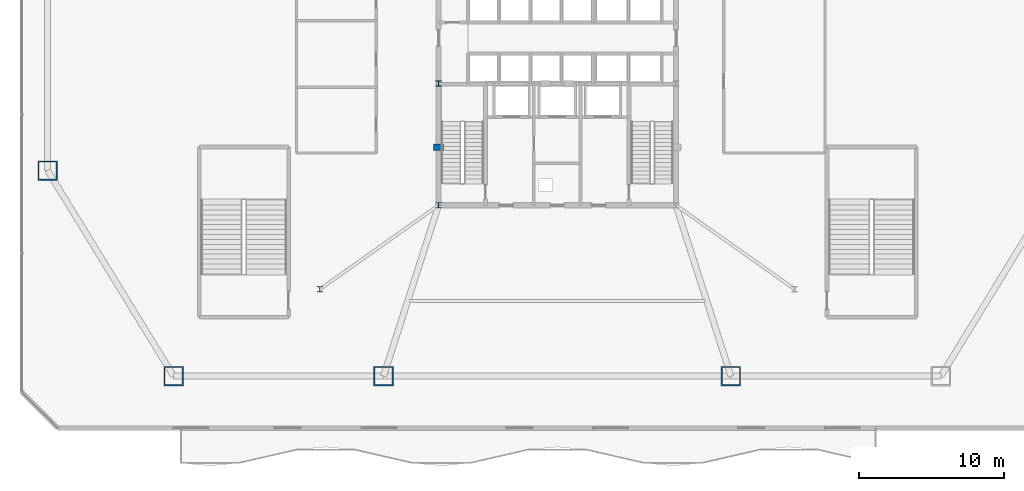
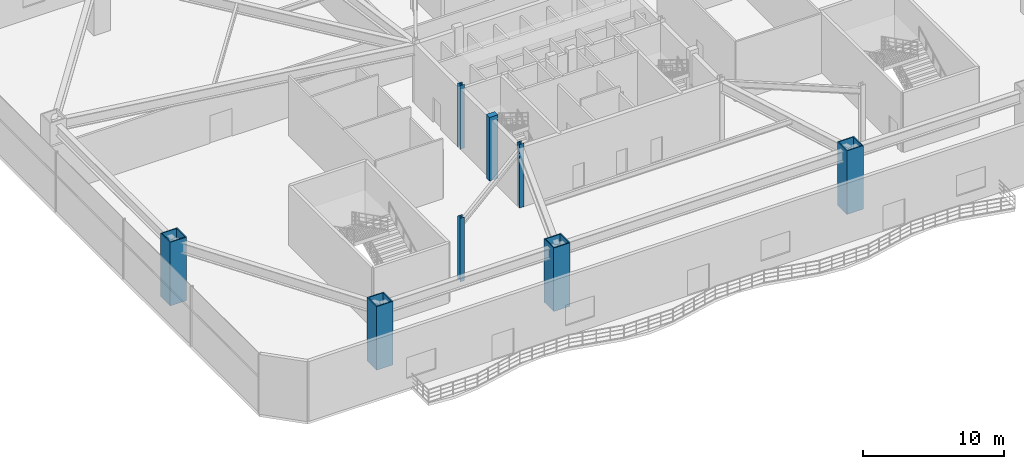
# One storey, part 1 of 20: 8 columns.
"""IFC4 building model written with IfcOpenShell, lengths in metres."""

from ifc_helpers import new_model, si_unit, direction, frame, origin, origin_2d, place, context, subcontext, project, spatial, rectangle, hollow_rectangle, i_section, extrude, material, material_profile, profile_set, type_object, element, save


model = new_model("IFC4")

# Units and contexts
model_context = context("Model", 3, precision=1e-05, world=origin(), true_north=direction((0.0, 1.0)))
body_context = subcontext(model_context, "Body", "Model", "MODEL_VIEW")
ifc_project = project(units=[si_unit("LENGTHUNIT", "METRE"), si_unit("AREAUNIT", "SQUARE_METRE"), si_unit("VOLUMEUNIT", "CUBIC_METRE"), si_unit("PLANEANGLEUNIT", "RADIAN"), si_unit("MASSUNIT", "GRAM", prefix="KILO")], contexts=[model_context])

# Site, building, storey
site_placement = place(None, origin())
site = spatial("IfcSite", under=ifc_project, at=site_placement, CompositionType="ELEMENT")
building_placement = place(site_placement, origin())
building = spatial("IfcBuilding", under=site, at=building_placement, Name="Varakhsha Concourse Tower", CompositionType="ELEMENT")
storey_placement = place(building_placement, frame((0.0, 0.0, 16.5)))
storey = spatial("IfcBuildingStorey", under=building, at=storey_placement, Name="L04", CompositionType="ELEMENT", Elevation=16.5)

# Columns
ifc_material_1 = material(Name="Structural Steel ASTM A992 Grade 50", Category="steel")
ifc_material_profile_1 = material_profile(ifc_material_1, i_section(OverallWidth=0.3740234375, OverallDepth=0.3720703125, WebThickness=0.01611328125, FlangeThickness=0.02587890625, at=origin_2d()), Name="W14X132")
ifc_profile_set_1 = profile_set([ifc_material_profile_1], Name="Structural Steel ASTM A992 Grade 50")
column_type_1 = type_object("IfcColumnType", Name="CL-CORE-W14X132", PredefinedType="COLUMN", material=ifc_profile_set_1)
for number, where, z_axis, x_axis, name in (
    (1, (31.800048828125, 16.39990234375, 0.0), (0.0, 0.0, 1.0), (1.0, 0.0, 0.0), "L04 Core Column CC-SW"),
    (2, (31.800048828125, 24.800048828125, 0.0), (0.0, 0.0, 1.0), (1.0, 0.0, 0.0), "L04 Core Column CC-MW"),
    (3, (23.60009765625, 10.60009765625, 0.0), (0.0, 0.0, 1.0), (1.0, 0.0, 0.0), "L04 Core Column SS-W"),
):
    element("IfcColumn", number, at=place(storey_placement, frame(where, z_axis=z_axis, x_axis=x_axis)), inside=storey, type_object=column_type_1, Name=name, PredefinedType="COLUMN", context=body_context, shape_type="SweptSolid", body=[
        extrude(i_section(OverallWidth=0.3740234375, OverallDepth=0.3720703125, WebThickness=0.01611328125, FlangeThickness=0.02587890625, at=origin_2d()), origin(), (0.0, 0.0, 1.0), 5.5),
    ])
ifc_material_2 = material(Name="Concrete fc 65 MPa", Category="concrete")
ifc_material_profile_2 = material_profile(ifc_material_2, rectangle(XDim=0.699951171875, YDim=0.449951171875, at=origin_2d()), Name="RC 700x450")
ifc_profile_set_2 = profile_set([ifc_material_profile_2], Name="Concrete fc 65 MPa")
column_type_2 = type_object("IfcColumnType", Name="CL-PIL-700X450", PredefinedType="PILASTER", material=ifc_profile_set_2)
column_placement = place(storey_placement, frame((31.800048828125, 20.39990234375, 0.0), z_axis=(0.0, 0.0, 1.0), x_axis=(1.0, 0.0, 0.0)))
element("IfcColumn", 4, at=column_placement, inside=storey, type_object=column_type_2, Name="L04 Core Boundary Pilaster PIL-W1", PredefinedType="PILASTER", context=body_context, shape_type="SweptSolid", body=[
    extrude(rectangle(XDim=0.699951171875, YDim=0.449951171875, at=origin_2d()), origin(), (0.0, 0.0, 1.0), 5.5),
])
ifc_material_3 = material(Name="Structural Steel ASTM A572 Grade 50", Category="steel")
ifc_material_profile_3 = material_profile(ifc_material_3, hollow_rectangle(XDim=1.35009765625, YDim=1.35009765625, WallThickness=0.0849609375, at=origin_2d()), Name="BOX 1350x1350x85")
ifc_profile_set_3 = profile_set([ifc_material_profile_3], Name="Structural Steel ASTM A572 Grade 50")
column_type_3 = type_object("IfcColumnType", Name="CL-STILT-1350", PredefinedType="COLUMN", material=ifc_profile_set_3)
for number, where, z_axis, x_axis, name in (
    (5, (13.5, 4.60009765625, 0.0), (0.0, 0.0, 1.0), (1.0, 0.0, 0.0), "L04 Podium Mega-Column PC-S1"),
    (6, (28.0, 4.60009765625, 0.0), (0.0, 0.0, 1.0), (1.0, 0.0, 0.0), "L04 Podium Mega-Column PC-S2"),
    (7, (52.0, 4.60009765625, 0.0), (0.0, 0.0, 1.0), (1.0, 0.0, 0.0), "L04 Podium Mega-Column PC-S3"),
    (8, (4.800048828125, 18.800048828125, 0.0), (0.0, 0.0, 1.0), (1.0, 0.0, 0.0), "L04 Podium Mega-Column PC-W1"),
):
    element("IfcColumn", number, at=place(storey_placement, frame(where, z_axis=z_axis, x_axis=x_axis)), inside=storey, type_object=column_type_3, Name=name, PredefinedType="COLUMN", context=body_context, shape_type="SweptSolid", body=[
        extrude(hollow_rectangle(XDim=1.35009765625, YDim=1.35009765625, WallThickness=0.0849609375, at=origin_2d()), origin(), (0.0, 0.0, 1.0), 5.5),
    ])

save(model, "model.ifc")
